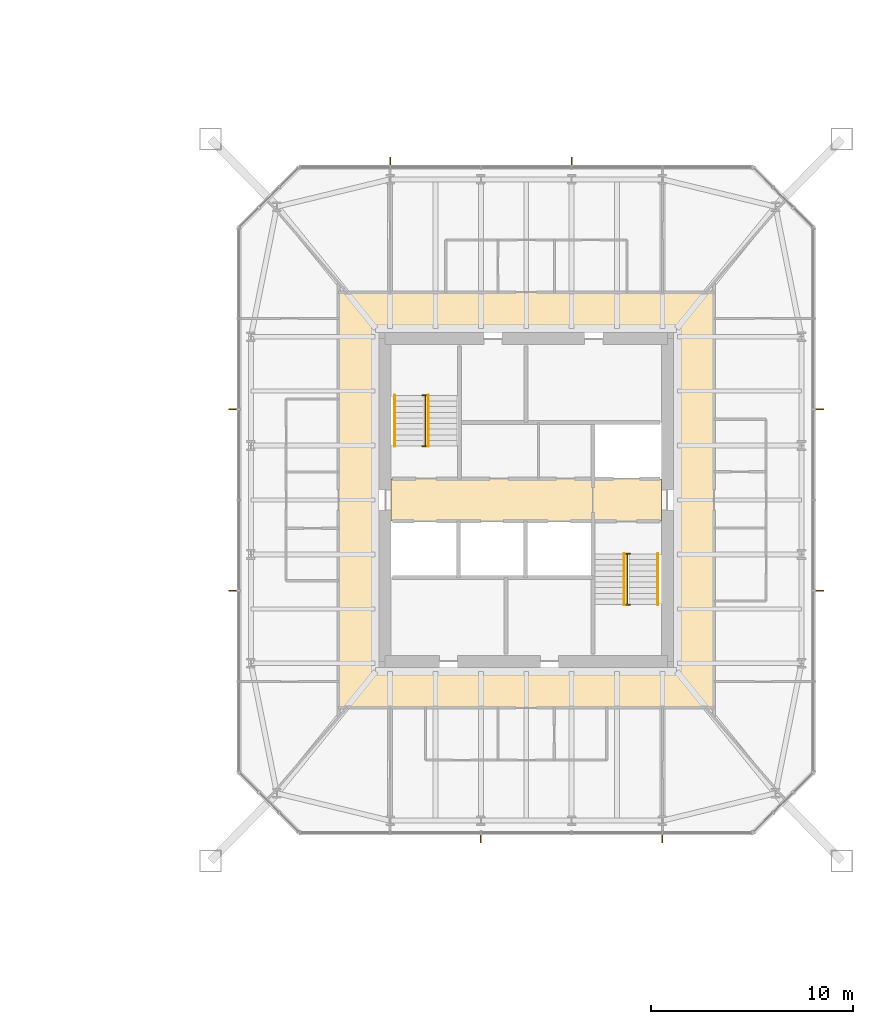
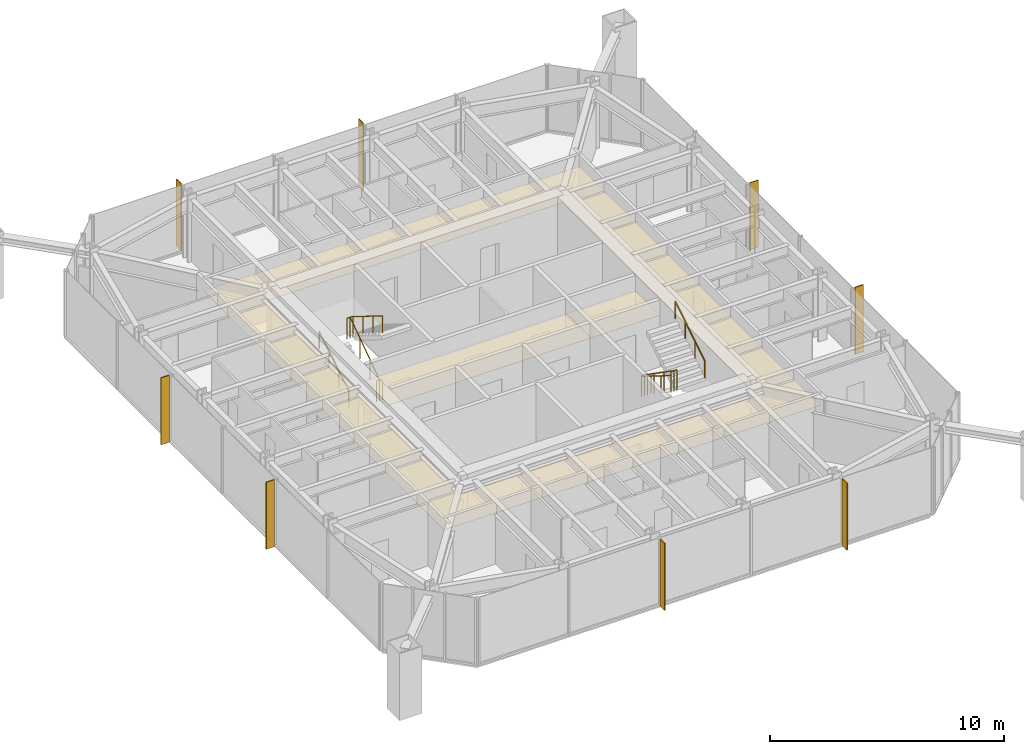
# One storey, part 25 of 25: 8 shading devices, 6 railings, 3 coverings.
"""IFC4 building model written with IfcOpenShell, lengths in metres."""

import ifcopenshell
import ifcopenshell.guid

model = None  # the IFC model being written
_history = None  # IfcOwnerHistory: only IFC2X3 demands one
_inside = {}  # id of a spatial element -> (the spatial element, [elements in it])
_under = {}  # id of a project, library or spatial element -> (it, [spatial elements below it])
_declared = {}  # id of a project -> (the project, [libraries it declares])
_typed = {}  # id of a type object -> (the type object, [elements of that type])
_made_of = {}  # id of a material, layer set ... -> (it, [elements and type objects made of it])


def new_model(schema):
    """Start an empty IFC model of exactly this schema.

    Asked for "IFC4X3", IfcOpenShell would pick the latest addendum, in which some entities
    have other attributes; the version numbers below select the first issue.
    IFC2X3 requires an IfcOwnerHistory on every rooted entity: one is made here for all.
    """
    global model, _history
    if schema == "IFC4X3":
        model = ifcopenshell.file(schema_version=(4, 3, 0, 0))
    else:
        model = ifcopenshell.file(schema=schema)
    _inside.clear()
    _under.clear()
    _declared.clear()
    _typed.clear()
    _made_of.clear()
    _history = None
    if model.schema == "IFC2X3":
        org = make("IfcOrganization", Name="unknown")
        user = make(
            "IfcPersonAndOrganization",
            ThePerson=make("IfcPerson", FamilyName="unknown"),
            TheOrganization=org,
        )
        app = make(
            "IfcApplication",
            ApplicationDeveloper=org,
            Version="unknown",
            ApplicationFullName="unknown",
            ApplicationIdentifier="unknown",
        )
        _history = make(
            "IfcOwnerHistory",
            OwningUser=user,
            OwningApplication=app,
            ChangeAction="ADDED",
            CreationDate=0,
        )
    return model


def make(cls, **values):
    """One entity of the class cls with the attributes given. An attribute that is None is left unset."""
    return model.create_entity(
        cls, **{name: value for name, value in values.items() if value is not None}
    )


def rooted(cls, **values):
    """An entity with a GlobalId (a new one), such as an element, a storey or a relation."""
    return make(cls, GlobalId=ifcopenshell.guid.new(), OwnerHistory=_history, **values)


def si_unit(unit_type, name, prefix=None):
    """IfcSIUnit, for example si_unit("LENGTHUNIT", "METRE", prefix="MILLI")."""
    return make("IfcSIUnit", UnitType=unit_type, Prefix=prefix, Name=name)


def assignment(units):
    """IfcUnitAssignment: the units of a project."""
    return None if units is None else make("IfcUnitAssignment", Units=units)


def point(xyz):
    """IfcCartesianPoint."""
    return None if xyz is None else make("IfcCartesianPoint", Coordinates=xyz)


def direction(xyz):
    """IfcDirection."""
    return None if xyz is None else make("IfcDirection", DirectionRatios=xyz)


def frame(location, z_axis=None, x_axis=None):
    """IfcAxis2Placement3D, a coordinate frame: its origin and axes. An axis left out is left unset."""
    return make(
        "IfcAxis2Placement3D",
        Location=point(location),
        Axis=direction(z_axis),
        RefDirection=direction(x_axis),
    )


def frame_2d(location, x_axis=None):
    """IfcAxis2Placement2D, a coordinate frame in the plane: its origin and x axis."""
    return make(
        "IfcAxis2Placement2D", Location=point(location), RefDirection=direction(x_axis)
    )


def origin():
    """The frame at (0, 0, 0) with its axes left unset."""
    return frame((0.0, 0.0, 0.0))


def origin_2d():
    """The frame at (0, 0) in the plane with its x axis left unset."""
    return frame_2d((0.0, 0.0))


def place(relative_to, where):
    """IfcLocalPlacement: puts the frame where relative to a parent placement (None: the world)."""
    return make(
        "IfcLocalPlacement", PlacementRelTo=relative_to, RelativePlacement=where
    )


def context(
    kind, dimensions, precision=None, world=None, true_north=None, identifier=None
):
    """IfcGeometricRepresentationContext, for example the 3D "Model" context."""
    return make(
        "IfcGeometricRepresentationContext",
        ContextIdentifier=identifier,
        ContextType=kind,
        CoordinateSpaceDimension=dimensions,
        Precision=precision,
        WorldCoordinateSystem=world,
        TrueNorth=true_north,
    )


def subcontext(parent, identifier, kind, view, scale=None):
    """IfcGeometricRepresentationSubContext, for example "Body" below "Model"."""
    return make(
        "IfcGeometricRepresentationSubContext",
        ContextIdentifier=identifier,
        ContextType=kind,
        ParentContext=parent,
        TargetScale=scale,
        TargetView=view,
    )


def project(units=None, contexts=None):
    """IfcProject with its units and contexts."""
    return rooted(
        "IfcProject",
        Name="project",
        RepresentationContexts=contexts,
        UnitsInContext=assignment(units),
    )


def spatial(cls, under=None, at=None, **own):
    """A site, building, storey or space (cls), placed at a placement, below another one or the project."""
    s = rooted(cls, ObjectPlacement=at, **own)
    if under is not None:
        _under.setdefault(under.id(), (under, []))[1].append(s)
    return s


def polyline(points):
    """IfcPolyline through the points."""
    return make("IfcPolyline", Points=[point(p) for p in points])


def profile(cls, at=None, kind="AREA", **sizes):
    """A parametric profile (cls). Its sizes go by their IFC names, for example OverallWidth=200.0."""
    return make(cls, ProfileType=kind, Position=at, **sizes)


def rectangle(**sizes):
    """IfcRectangleProfileDef."""
    return profile("IfcRectangleProfileDef", **sizes)


def circle(**sizes):
    """IfcCircleProfileDef."""
    return profile("IfcCircleProfileDef", **sizes)


def outline(outer, holes=None, kind="AREA"):
    """IfcArbitraryClosedProfileDef: a profile drawn as a closed curve; with holes, ...WithVoids."""
    if holes is None:
        return make("IfcArbitraryClosedProfileDef", ProfileType=kind, OuterCurve=outer)
    return make(
        "IfcArbitraryProfileDefWithVoids",
        ProfileType=kind,
        OuterCurve=outer,
        InnerCurves=holes,
    )


def extrude(swept, where, along, depth):
    """IfcExtrudedAreaSolid: the profile swept, set in the frame where, extruded along a direction by depth."""
    return make(
        "IfcExtrudedAreaSolid",
        SweptArea=swept,
        Position=where,
        ExtrudedDirection=direction(along),
        Depth=depth,
    )


def shape(context_of_items, identifier, shape_type, items):
    """IfcShapeRepresentation: the items that make up one representation, for example the "Body"."""
    return make(
        "IfcShapeRepresentation",
        ContextOfItems=context_of_items,
        RepresentationIdentifier=identifier,
        RepresentationType=shape_type,
        Items=items,
    )


def material(Name=None, Category=None):
    """IfcMaterial."""
    return make("IfcMaterial", Name=Name, Category=Category)


def layer(
    of_material, thickness, ventilated=None, Name=None, Category=None, Priority=None
):
    """IfcMaterialLayer: one layer of a wall or slab, of a material (None: an air gap)."""
    return make(
        "IfcMaterialLayer",
        Material=of_material,
        LayerThickness=thickness,
        IsVentilated=ventilated,
        Name=Name,
        Category=Category,
        Priority=Priority,
    )


def layer_set(layers, Name=None):
    """IfcMaterialLayerSet."""
    return make("IfcMaterialLayerSet", MaterialLayers=layers, LayerSetName=Name)


def constituent(of_material, Name=None, Category=None, fraction=None):
    """IfcMaterialConstituent: one of the materials an element consists of."""
    return make(
        "IfcMaterialConstituent",
        Name=Name,
        Material=of_material,
        Fraction=fraction,
        Category=Category,
    )


def constituent_set(constituents=None, Name=None):
    """IfcMaterialConstituentSet."""
    return make(
        "IfcMaterialConstituentSet", Name=Name, MaterialConstituents=constituents
    )


def made_of(thing, what):
    """Note that an element or type object is made of a material, layer set ...; save() writes the relation."""
    if what is not None:
        _made_of.setdefault(what.id(), (what, []))[1].append(thing)
    return thing


def type_object(cls, material=None, **own):
    """A type object (cls), such as IfcWallType, which elements share."""
    return made_of(rooted(cls, **own), material)


def element(
    cls,
    number,
    at=None,
    inside=None,
    cuts=None,
    type_object=None,
    material=None,
    context=None,
    identifier="Body",
    shape_type=None,
    held_by="IfcProductDefinitionShape",
    body=None,
    shapes=None,
    **own,
):
    """One element of the class cls, such as IfcWall. Its Tag is "e" and its number.

    at: its placement. inside: the storey or other place that contains it. cuts: it is an
    opening in that element (IfcRelVoidsElement). A single representation is given by context,
    identifier, shape_type and body (its items); several are given by shapes. held_by: the class
    of the entity that holds the representations. save() writes the other relations.
    """
    e = rooted(cls, Tag="e%d" % number, ObjectPlacement=at, **own)
    if body is not None:
        shapes = [shape(context, identifier, shape_type, body)]
    if shapes is not None:
        e.Representation = make(held_by, Representations=shapes)
    if inside is not None:
        _inside.setdefault(inside.id(), (inside, []))[1].append(e)
    if cuts is not None:
        rooted(
            "IfcRelVoidsElement", RelatingBuildingElement=cuts, RelatedOpeningElement=e
        )
    if type_object is not None:
        _typed.setdefault(type_object.id(), (type_object, []))[1].append(e)
    return made_of(e, material)


def aggregate(whole, parts):
    """IfcRelAggregates: a whole, such as a stair, and the parts it consists of."""
    return rooted("IfcRelAggregates", RelatingObject=whole, RelatedObjects=parts)


def save(model, path):
    """Write the relations noted so far, then the file.

    IfcRelAggregates (storeys below a building ...), IfcRelContainedInSpatialStructure (elements
    in a storey), IfcRelDefinesByType, IfcRelAssociatesMaterial and IfcRelDeclares: one each for
    every whole, place, type object, material and project.
    """
    for whole, parts in _under.values():
        aggregate(whole, parts)
    for where, things in _inside.values():
        rooted(
            "IfcRelContainedInSpatialStructure",
            RelatedElements=things,
            RelatingStructure=where,
        )
    for kind, things in _typed.values():
        rooted("IfcRelDefinesByType", RelatedObjects=things, RelatingType=kind)
    for what, things in _made_of.values():
        rooted("IfcRelAssociatesMaterial", RelatedObjects=things, RelatingMaterial=what)
    for by, libraries in _declared.values():
        rooted("IfcRelDeclares", RelatingContext=by, RelatedDefinitions=libraries)
    model.write(path)


model = new_model("IFC4")

# Units and contexts
model_context = context("Model", 3, precision=1e-05, world=origin(), true_north=direction((0.0, 1.0)))
body_context = subcontext(model_context, "Body", "Model", "MODEL_VIEW")
ifc_project = project(units=[si_unit("LENGTHUNIT", "METRE"), si_unit("AREAUNIT", "SQUARE_METRE"), si_unit("VOLUMEUNIT", "CUBIC_METRE"), si_unit("PLANEANGLEUNIT", "RADIAN"), si_unit("MASSUNIT", "GRAM", prefix="KILO")], contexts=[model_context])

# Site, building, storey
site_placement = place(None, origin())
site = spatial("IfcSite", under=ifc_project, at=site_placement, CompositionType="ELEMENT")
building_placement = place(site_placement, origin())
building = spatial("IfcBuilding", under=site, at=building_placement, Name="Iwan Alto Co-Living Towers", CompositionType="ELEMENT")
storey_placement = place(building_placement, frame((0.0, 0.0, 112.0)))
storey = spatial("IfcBuildingStorey", under=building, at=storey_placement, Name="L30", CompositionType="ELEMENT", Elevation=112.0)

# Coverings
ifc_material_1 = material(Name="Mineral fibre acoustic tiles on steel grid", Category="steel")
ifc_layer_1 = layer(ifc_material_1, 0.02001953125)
ifc_layer_set_1 = layer_set([ifc_layer_1], Name="ACOUSTIC TILE CEILING 20")
covering_type_1 = type_object("IfcCoveringType", Name="ACOUSTIC TILE CEILING 20", PredefinedType="CEILING", material=ifc_layer_set_1)
covering_1_placement = place(storey_placement, frame((0.0, 0.0, 2.60009765625)))
element("IfcCovering", 1, at=covering_1_placement, inside=storey, type_object=covering_type_1, Name="Ceiling Lift lobby L30", PredefinedType="CEILING", context=body_context, shape_type="SweptSolid", body=[
    extrude(outline(polyline([(56.300048828125, -1.050048828125), (56.300048828125, 1.050048828125), (66.300048828125, 1.050048828125), (66.300048828125, -1.050048828125), (56.300048828125, -1.050048828125)])), origin(), (0.0, 0.0, 1.0), 0.02001953125),
])
covering_2_placement = place(storey_placement, frame((0.0, 0.0, 2.60009765625)))
element("IfcCovering", 2, at=covering_2_placement, inside=storey, type_object=covering_type_1, Name="Ceiling Firefighting lobby L30", PredefinedType="CEILING", context=body_context, shape_type="SweptSolid", body=[
    extrude(outline(polyline([(66.300048828125, -1.050048828125), (66.300048828125, 1.050048828125), (69.699951171875, 1.050048828125), (69.699951171875, -1.050048828125), (66.300048828125, -1.050048828125)])), origin(), (0.0, 0.0, 1.0), 0.02001953125),
])

# Shading devices
ifc_material_2 = material(Name="Aluminium 6063-T6 bronze anodised", Category="aluminium")
ifc_layer_2 = layer(ifc_material_2, 0.050048828125)
ifc_layer_set_2 = layer_set([ifc_layer_2], Name="BRONZE FIN 50X400")
shading_device_type = type_object("IfcShadingDeviceType", Name="BRONZE FIN 50X400", PredefinedType="USERDEFINED", material=ifc_layer_set_2)
for number, where, z_axis, x_axis, name in (
    (3, (60.75, -16.800048828125, 0.0), (0.0, 0.0, 1.0), (1.0, 0.0, 0.0), "Bronze fin L30"),
    (4, (69.75, -16.800048828125, 0.0), (0.0, 0.0, 1.0), (1.0, 0.0, 0.0), "Bronze fin L30"),
    (5, (77.550048828125, -4.5, 0.0), (0.0, 0.0, 1.0), (0.0, 1.0, 0.0), "Bronze fin L30"),
    (6, (77.550048828125, 4.5, 0.0), (0.0, 0.0, 1.0), (0.0, 1.0, 0.0), "Bronze fin L30"),
    (7, (65.25, 16.800048828125, 0.0), (0.0, 0.0, 1.0), (-1.0, 0.0, 0.0), "Bronze fin L30"),
    (8, (56.25, 16.800048828125, 0.0), (0.0, 0.0, 1.0), (-1.0, 0.0, 0.0), "Bronze fin L30"),
    (9, (48.449951171875, 4.5, 0.0), (0.0, 0.0, 1.0), (0.0, -1.0, 0.0), "Bronze fin L30"),
    (10, (48.449951171875, -4.5, 0.0), (0.0, 0.0, 1.0), (0.0, -1.0, 0.0), "Bronze fin L30"),
):
    element("IfcShadingDevice", number, at=place(storey_placement, frame(where, z_axis=z_axis, x_axis=x_axis)), inside=storey, type_object=shading_device_type, Name=name, ObjectType="LOUVER", PredefinedType="USERDEFINED", context=body_context, shape_type="SweptSolid", body=[
        extrude(rectangle(XDim=0.050048828125, YDim=0.39990234375, at=origin_2d()), origin(), (0.0, 0.0, 1.0), 3.5),
    ])

# Railings
ifc_material_3 = material(Name="Steel ASTM A500 Gr C", Category="steel")
ifc_constituent_1 = constituent(ifc_material_3, Name="Rails and posts", Category="Framing")
ifc_material_4 = material(Name="Steel ASTM A36", Category="steel")
ifc_constituent_2 = constituent(ifc_material_4, Name="Bar infill", Category="Infill")
ifc_constituent_set = constituent_set(constituents=[ifc_constituent_1, ifc_constituent_2], Name="STAIR GUARD 1100")
railing_type_1 = type_object("IfcRailingType", Name="STAIR GUARD 1100", PredefinedType="GUARDRAIL", material=ifc_constituent_set)
railing_1_placement = place(storey_placement, frame((58.0, 2.669921875, 0.0)))
element("IfcRailing", 11, at=railing_1_placement, inside=storey, type_object=railing_type_1, Name="Stair T2-S1 well guard L30", PredefinedType="GUARDRAIL", context=body_context, shape_type="SweptSolid", body=[
    extrude(circle(Radius=0.02392578125, at=origin_2d()), frame((0.0, 0.0, 1.076171875), z_axis=(0.0, 0.821372036852, 0.570392826987), x_axis=(-1.0, 0.0, 0.0)), (0.0, 0.0, 1.0), 3.068115234375),
    extrude(circle(Radius=0.02392578125, at=origin_2d()), frame((-0.14990234375, 0.0, 1.076171875), z_axis=(1.0, 0.0, 0.0), x_axis=(0.0, 1.0, 0.0)), (0.0, 0.0, 1.0), 0.2998046875),
    extrude(circle(Radius=0.02392578125, at=origin_2d()), frame((-0.14990234375, 2.52001953125, 2.826171875), z_axis=(1.0, 0.0, 0.0), x_axis=(0.0, 1.0, 0.0)), (0.0, 0.0, 1.0), 0.2998046875),
    extrude(circle(Radius=0.02099609375, at=origin_2d()), origin(), (0.0, 0.0, 1.0), 1.052001953125),
    extrude(circle(Radius=0.02099609375, at=origin_2d()), frame((0.0, 0.840087890625, 0.583251953125)), (0.0, 0.0, 1.0), 1.052001953125),
    extrude(circle(Radius=0.02099609375, at=origin_2d()), frame((0.0, 1.679931640625, 1.166748046875)), (0.0, 0.0, 1.0), 1.052001953125),
    extrude(circle(Radius=0.02099609375, at=origin_2d()), frame((0.0, 2.52001953125, 1.75)), (0.0, 0.0, 1.0), 1.052001953125),
    extrude(circle(Radius=0.02099609375, at=origin_2d()), frame((-0.14990234375, 0.0, 0.0)), (0.0, 0.0, 1.0), 1.052001953125),
    extrude(circle(Radius=0.02099609375, at=origin_2d()), frame((0.14990234375, 0.0, 0.0)), (0.0, 0.0, 1.0), 1.052001953125),
    extrude(circle(Radius=0.02099609375, at=origin_2d()), frame((-0.14990234375, 2.52001953125, 1.75)), (0.0, 0.0, 1.0), 1.052001953125),
    extrude(circle(Radius=0.02099609375, at=origin_2d()), frame((0.14990234375, 2.52001953125, 1.75)), (0.0, 0.0, 1.0), 1.052001953125),
])
railing_2_placement = place(storey_placement, frame((68.0, -2.669921875, 0.0)))
element("IfcRailing", 12, at=railing_2_placement, inside=storey, type_object=railing_type_1, Name="Stair T2-S2 well guard L30", PredefinedType="GUARDRAIL", context=body_context, shape_type="SweptSolid", body=[
    extrude(circle(Radius=0.02392578125, at=origin_2d()), frame((0.0, 0.0, 1.076171875), z_axis=(0.0, -0.821372036852, 0.570392826987), x_axis=(1.0, 0.0, 0.0)), (0.0, 0.0, 1.0), 3.068115234375),
    extrude(circle(Radius=0.02392578125, at=origin_2d()), frame((-0.14990234375, 0.0, 1.076171875), z_axis=(1.0, 0.0, 0.0), x_axis=(0.0, 1.0, 0.0)), (0.0, 0.0, 1.0), 0.2998046875),
    extrude(circle(Radius=0.02392578125, at=origin_2d()), frame((-0.14990234375, -2.52001953125, 2.826171875), z_axis=(1.0, 0.0, 0.0), x_axis=(0.0, 1.0, 0.0)), (0.0, 0.0, 1.0), 0.2998046875),
    extrude(circle(Radius=0.02099609375, at=origin_2d()), origin(), (0.0, 0.0, 1.0), 1.052001953125),
    extrude(circle(Radius=0.02099609375, at=origin_2d()), frame((0.0, -0.840087890625, 0.583251953125)), (0.0, 0.0, 1.0), 1.052001953125),
    extrude(circle(Radius=0.02099609375, at=origin_2d()), frame((0.0, -1.679931640625, 1.166748046875)), (0.0, 0.0, 1.0), 1.052001953125),
    extrude(circle(Radius=0.02099609375, at=origin_2d()), frame((0.0, -2.52001953125, 1.75)), (0.0, 0.0, 1.0), 1.052001953125),
    extrude(circle(Radius=0.02099609375, at=origin_2d()), frame((-0.14990234375, 0.0, 0.0)), (0.0, 0.0, 1.0), 1.052001953125),
    extrude(circle(Radius=0.02099609375, at=origin_2d()), frame((0.14990234375, 0.0, 0.0)), (0.0, 0.0, 1.0), 1.052001953125),
    extrude(circle(Radius=0.02099609375, at=origin_2d()), frame((-0.14990234375, -2.52001953125, 1.75)), (0.0, 0.0, 1.0), 1.052001953125),
    extrude(circle(Radius=0.02099609375, at=origin_2d()), frame((0.14990234375, -2.52001953125, 1.75)), (0.0, 0.0, 1.0), 1.052001953125),
])
ifc_material_5 = material(Name="Steel ASTM A500 Gr C", Category="steel")
railing_type_2 = type_object("IfcRailingType", Name="STAIR HANDRAIL 900", PredefinedType="HANDRAIL", material=ifc_material_5)
railing_3_placement = place(storey_placement, frame((56.469970703125, 2.669921875, 0.175048828125)))
element("IfcRailing", 13, at=railing_3_placement, inside=storey, type_object=railing_type_2, Name="Stair T2-S1 handrail 1 L30", PredefinedType="HANDRAIL", context=body_context, shape_type="SweptSolid", body=[
    extrude(circle(Radius=0.02392578125, at=origin_2d()), frame((0.0, 0.0, 0.8759765625), z_axis=(0.0, 0.848007534815, 0.529984170421), x_axis=(-1.0, 0.0, 0.0)), (0.0, 0.0, 1.0), 2.9716796875),
    extrude(circle(Radius=0.02099609375, at=origin_2d()), origin(), (0.0, 0.0, 1.0), 0.851806640625),
    extrude(circle(Radius=0.02099609375, at=origin_2d()), frame((0.0, 0.840087890625, 0.52490234375)), (0.0, 0.0, 1.0), 0.851806640625),
    extrude(circle(Radius=0.02099609375, at=origin_2d()), frame((0.0, 1.679931640625, 1.050048828125)), (0.0, 0.0, 1.0), 0.851806640625),
    extrude(circle(Radius=0.02099609375, at=origin_2d()), frame((0.0, 2.52001953125, 1.574951171875)), (0.0, 0.0, 1.0), 0.851806640625),
])
for number, where, name in (
    (14, (58.14990234375, 5.18994140625, 1.925048828125), "Stair T2-S1 handrail 2 L30"),
    (15, (67.85009765625, -2.669921875, 0.175048828125), "Stair T2-S2 handrail 1 L30"),
):
    element("IfcRailing", number, at=place(storey_placement, frame(where)), inside=storey, type_object=railing_type_2, Name=name, PredefinedType="HANDRAIL", context=body_context, shape_type="SweptSolid", body=[
        extrude(circle(Radius=0.02392578125, at=origin_2d()), frame((0.0, 0.0, 0.8759765625), z_axis=(0.0, -0.848007534815, 0.529984170421), x_axis=(1.0, 0.0, 0.0)), (0.0, 0.0, 1.0), 2.9716796875),
        extrude(circle(Radius=0.02099609375, at=origin_2d()), origin(), (0.0, 0.0, 1.0), 0.851806640625),
        extrude(circle(Radius=0.02099609375, at=origin_2d()), frame((0.0, -0.840087890625, 0.52490234375)), (0.0, 0.0, 1.0), 0.851806640625),
        extrude(circle(Radius=0.02099609375, at=origin_2d()), frame((0.0, -1.679931640625, 1.050048828125)), (0.0, 0.0, 1.0), 0.851806640625),
        extrude(circle(Radius=0.02099609375, at=origin_2d()), frame((0.0, -2.52001953125, 1.574951171875)), (0.0, 0.0, 1.0), 0.851806640625),
    ])
railing_4_placement = place(storey_placement, frame((69.530029296875, -5.18994140625, 1.925048828125)))
element("IfcRailing", 16, at=railing_4_placement, inside=storey, type_object=railing_type_2, Name="Stair T2-S2 handrail 2 L30", PredefinedType="HANDRAIL", context=body_context, shape_type="SweptSolid", body=[
    extrude(circle(Radius=0.02392578125, at=origin_2d()), frame((0.0, 0.0, 0.8759765625), z_axis=(0.0, 0.848007534815, 0.529984170421), x_axis=(-1.0, 0.0, 0.0)), (0.0, 0.0, 1.0), 2.9716796875),
    extrude(circle(Radius=0.02099609375, at=origin_2d()), origin(), (0.0, 0.0, 1.0), 0.851806640625),
    extrude(circle(Radius=0.02099609375, at=origin_2d()), frame((0.0, 0.840087890625, 0.52490234375)), (0.0, 0.0, 1.0), 0.851806640625),
    extrude(circle(Radius=0.02099609375, at=origin_2d()), frame((0.0, 1.679931640625, 1.050048828125)), (0.0, 0.0, 1.0), 0.851806640625),
    extrude(circle(Radius=0.02099609375, at=origin_2d()), frame((0.0, 2.52001953125, 1.574951171875)), (0.0, 0.0, 1.0), 0.851806640625),
])

# Covering
ifc_material_6 = material(Name="Gypsum plasterboard on steel grid", Category="steel")
ifc_layer_3 = layer(ifc_material_6, 0.014892578125)
ifc_layer_set_3 = layer_set([ifc_layer_3], Name="SUSPENDED PLASTERBOARD CEILING 15")
covering_type_2 = type_object("IfcCoveringType", Name="SUSPENDED PLASTERBOARD CEILING 15", PredefinedType="CEILING", material=ifc_layer_set_3)
covering_3_placement = place(storey_placement, frame((0.0, 0.0, 2.60009765625)))
element("IfcCovering", 17, at=covering_3_placement, inside=storey, type_object=covering_type_2, Name="Ceiling Corridor L30", PredefinedType="CEILING", context=body_context, shape_type="SweptSolid", body=[
    extrude(outline(polyline([(53.699951171875, 10.300048828125), (72.300048828125, 10.300048828125), (72.300048828125, -10.300048828125), (53.699951171875, -10.300048828125), (53.699951171875, 10.300048828125)]), holes=[polyline([(55.699951171875, 8.300048828125), (55.699951171875, -8.300048828125), (70.300048828125, -8.300048828125), (70.300048828125, 8.300048828125), (55.699951171875, 8.300048828125)])]), origin(), (0.0, 0.0, 1.0), 0.014892578125),
])

save(model, "model.ifc")
